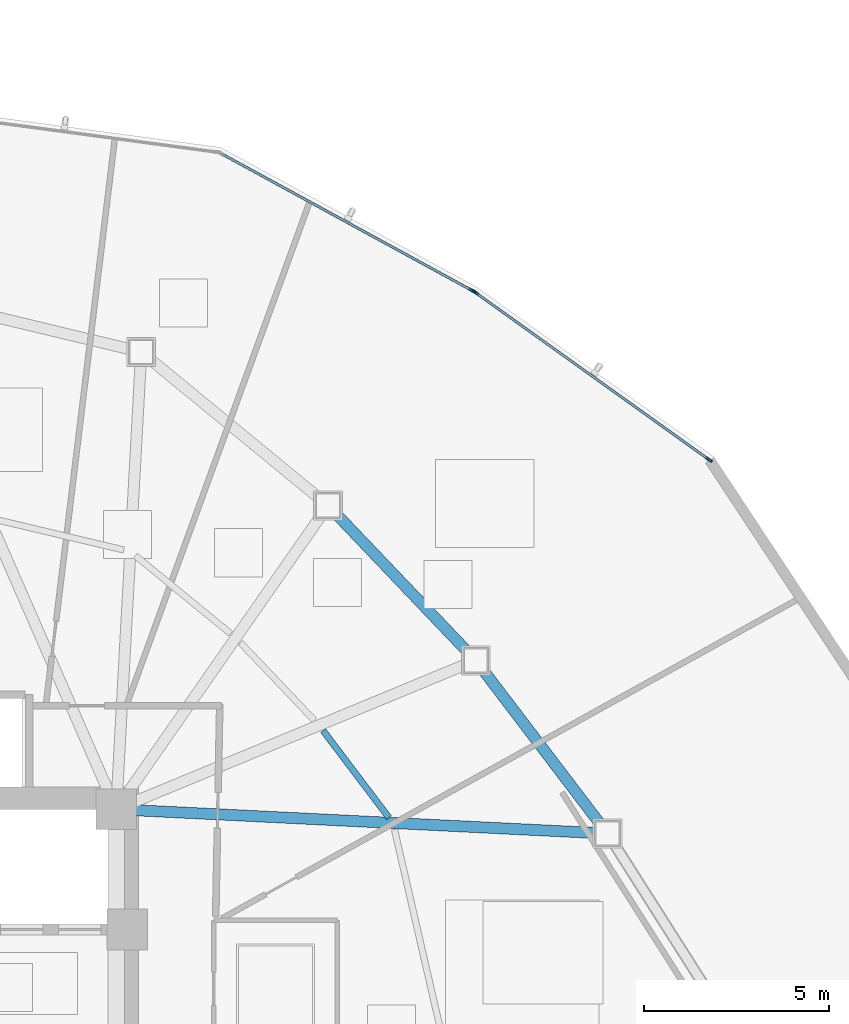
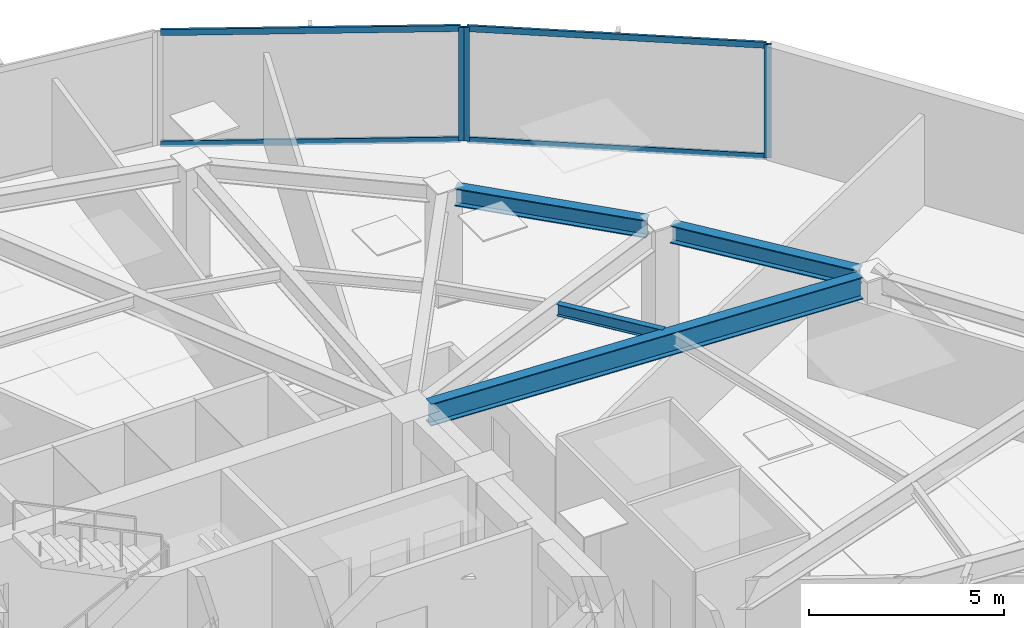
# One storey, part 9 of 17: 7 members, 4 beams, 2 elements without a shape of their own.
"""IFC4 building model written with IfcOpenShell, lengths in metres."""

from ifc_helpers import new_model, si_unit, direction, frame, origin, origin_2d, place, context, subcontext, project, spatial, hollow_rectangle, i_section, extrude, source, transform, mapped, material, layer, layer_set, material_profile, profile_set, type_object, type_shapes, element, aggregate, save


model = new_model("IFC4")

# Units and contexts
model_context = context("Model", 3, precision=1e-05, world=origin(), true_north=direction((0.0, 1.0)))
body_context = subcontext(model_context, "Body", "Model", "MODEL_VIEW")
ifc_project = project(units=[si_unit("LENGTHUNIT", "METRE"), si_unit("AREAUNIT", "SQUARE_METRE"), si_unit("VOLUMEUNIT", "CUBIC_METRE"), si_unit("PLANEANGLEUNIT", "RADIAN"), si_unit("MASSUNIT", "GRAM", prefix="KILO")], contexts=[model_context])

# Site, building, storey
site_placement = place(None, origin())
site = spatial("IfcSite", under=ifc_project, at=site_placement, CompositionType="ELEMENT")
building_placement = place(site_placement, origin())
building = spatial("IfcBuilding", under=site, at=building_placement, Name="Tavelor Broadcast Tower", CompositionType="ELEMENT")
storey_placement = place(building_placement, frame((0.0, 0.0, 150.25)))
storey = spatial("IfcBuildingStorey", under=building, at=storey_placement, Name="L35", CompositionType="ELEMENT", Elevation=150.25)

# Beams
ifc_material_1 = material(Name="Steel S355", Category="steel")
ifc_material_profile_1 = material_profile(ifc_material_1, i_section(OverallWidth=0.169921875, OverallDepth=0.360107421875, WebThickness=0.008056640625, FlangeThickness=0.0126953125, at=origin_2d()), Name="IPE 360")
ifc_profile_set_1 = profile_set([ifc_material_profile_1], Name="Steel S355")
beam_type_1 = type_object("IfcBeamType", Name="Composite Floor Joist T3 IPE 360", PredefinedType="JOIST", material=ifc_profile_set_1)
beam_1_placement = place(storey_placement, frame((63.97509765625, 50.974853515625, 3.3701171875), z_axis=(-0.603343158319, 0.797481682116, 0.0), x_axis=(-0.797481682116, -0.603343158319, 0.0)))
element("IfcBeam", 1, at=beam_1_placement, inside=storey, type_object=beam_type_1, Name="L35 Secondary Composite Floor Joist 14", PredefinedType="JOIST", context=body_context, shape_type="SweptSolid", body=[
    extrude(i_section(OverallWidth=0.169921875, OverallDepth=0.360107421875, WebThickness=0.008056640625, FlangeThickness=0.0126953125, at=origin_2d()), origin(), (0.0, 0.0, 1.0), 2.951416015625),
])
ifc_material_profile_2 = material_profile(ifc_material_1, i_section(OverallWidth=0.300048828125, OverallDepth=0.550048828125, WebThickness=0.014892578125, FlangeThickness=0.029052734375, at=origin_2d()), Name="HEB 550")
ifc_profile_set_2 = profile_set([ifc_material_profile_2], Name="Steel S355")
beam_type_2 = type_object("IfcBeamType", Name="Perimeter Spandrel Beam T3 HEB 550", PredefinedType="SPANDREL", material=ifc_profile_set_2)
beam_2_placement = place(storey_placement, frame((69.6826171875, 50.8115234375, 3.27490234375), z_axis=(-0.605507005058, 0.795839975639, 0.0), x_axis=(-0.795839975639, -0.605507005058, 0.0)))
element("IfcBeam", 2, at=beam_2_placement, inside=storey, type_object=beam_type_2, Name="L35 Framed-Tube Ring Spandrel 14", PredefinedType="SPANDREL", context=body_context, shape_type="SweptSolid", body=[
    extrude(i_section(OverallWidth=0.300048828125, OverallDepth=0.550048828125, WebThickness=0.014892578125, FlangeThickness=0.029052734375, at=origin_2d()), origin(), (0.0, 0.0, 1.0), 5.214111328125),
])
beam_3_placement = place(storey_placement, frame((66.090087890625, 55.471923828125, 3.27490234375), z_axis=(-0.689928162502, 0.723877842309, 0.0), x_axis=(-0.723877842309, -0.689928162502, 0.0)))
element("IfcBeam", 3, at=beam_3_placement, inside=storey, type_object=beam_type_2, Name="L35 Framed-Tube Ring Spandrel 15", PredefinedType="SPANDREL", context=body_context, shape_type="SweptSolid", body=[
    extrude(i_section(OverallWidth=0.300048828125, OverallDepth=0.550048828125, WebThickness=0.014892578125, FlangeThickness=0.029052734375, at=origin_2d()), origin(), (0.0, 0.0, 1.0), 5.113037109375),
])
ifc_material_profile_3 = material_profile(ifc_material_1, i_section(OverallWidth=0.300048828125, OverallDepth=0.68994140625, WebThickness=0.014404296875, FlangeThickness=0.027099609375, at=origin_2d()), Name="HEA 700")
ifc_profile_set_3 = profile_set([ifc_material_profile_3], Name="Steel S355")
beam_type_3 = type_object("IfcBeamType", Name="Radial Floor Girder T3 HEA 700", PredefinedType="BEAM", material=ifc_profile_set_3)
beam_4_placement = place(storey_placement, frame((57.12744140625, 51.174072265625, 3.205078125), z_axis=(0.998783710906, -0.04930617435, 0.0), x_axis=(0.04930617435, 0.998783710906, 0.0)))
element("IfcBeam", 4, at=beam_4_placement, inside=storey, type_object=beam_type_3, Name="L35 Radial Primary Floor Girder 14", PredefinedType="BEAM", context=body_context, shape_type="SweptSolid", body=[
    extrude(i_section(OverallWidth=0.300048828125, OverallDepth=0.68994140625, WebThickness=0.014404296875, FlangeThickness=0.027099609375, at=origin_2d()), origin(), (0.0, 0.0, 1.0), 12.438232421875),
])

# Curtain wall, members
ifc_material_2 = material(Name="Architectural Anodized Aluminium", Category="aluminium")
ifc_layer = layer(ifc_material_2, 0.18994140625)
ifc_layer_set = layer_set([ifc_layer], Name="Architectural Anodized Aluminium")
curtain_wall_type = type_object("IfcCurtainWallType", Name="Tower Mid-Zone Acoustic Curtain Wall CW03", PredefinedType="NOTDEFINED", material=ifc_layer_set)
curtain_wall_1_placement = place(storey_placement, origin())
curtain_wall_1 = element("IfcCurtainWall", 5, at=curtain_wall_1_placement, inside=storey, type_object=curtain_wall_type, Name="L35 Curtain Wall CW03 Run 369", PredefinedType="NOTDEFINED")
ifc_material_profile_4 = material_profile(ifc_material_2, hollow_rectangle(XDim=0.068115234375, YDim=0.18994140625, WallThickness=0.02197265625, at=origin_2d()), Name="RHS 68x190x22")
ifc_profile_set_4 = profile_set([ifc_material_profile_4], Name="Architectural Anodized Aluminium")
member_type_1 = type_object("IfcMemberType", Name="CW03 Extruded Aluminium Mullion 68x190", PredefinedType="MULLION", material=ifc_profile_set_4)
shared_shape_1 = source(origin(), body_context, "Body", "SweptSolid", [
    extrude(hollow_rectangle(XDim=0.068115234375, YDim=0.18994140625, WallThickness=0.02197265625, at=origin_2d()), origin(), (0.0, 0.0, 1.0), 3.550048828125),
])
type_shapes(member_type_1, [shared_shape_1])
member_1_placement = place(storey_placement, frame((72.63134765625, 60.6552734375, 0.0), z_axis=(0.0, 0.0, 1.0), x_axis=(-0.581782507324, -0.813344400713, 0.0)))
member_1 = element("IfcMember", 6, at=member_1_placement, type_object=member_type_1, Name="CW03 mullion 1", PredefinedType="MULLION", context=body_context, shape_type="MappedRepresentation", body=[
    mapped(shared_shape_1, transform((0.0, 0.0, 0.0), scale=1.0)),
])
member_2_placement = place(storey_placement, frame((66.313232421875, 65.174560546875, 0.0), z_axis=(0.0, 0.0, 1.0), x_axis=(-0.581782507324, -0.813344400713, 0.0)))
member_2 = element("IfcMember", 7, at=member_2_placement, type_object=member_type_1, Name="CW03 mullion 2", PredefinedType="MULLION", context=body_context, shape_type="MappedRepresentation", body=[
    mapped(shared_shape_1, transform((0.0, 0.0, 0.0), scale=1.0)),
])

# Curtain wall, member
curtain_wall_2_placement = place(storey_placement, origin())
curtain_wall_2 = element("IfcCurtainWall", 8, at=curtain_wall_2_placement, inside=storey, type_object=curtain_wall_type, Name="L35 Curtain Wall CW03 Run 370", PredefinedType="NOTDEFINED")
member_3_placement = place(storey_placement, frame((66.23046875, 65.2265625, 0.0), z_axis=(0.0, 0.0, 1.0), x_axis=(-0.479074286186, -0.877774360707, 0.0)))
member_3 = element("IfcMember", 9, at=member_3_placement, type_object=member_type_1, Name="CW03 mullion 1", PredefinedType="MULLION", context=body_context, shape_type="MappedRepresentation", body=[
    mapped(shared_shape_1, transform((0.0, 0.0, 0.0), scale=1.0)),
])

# Member
ifc_material_profile_5 = material_profile(ifc_material_2, hollow_rectangle(XDim=0.068115234375, YDim=0.18994140625, WallThickness=0.02197265625, at=origin_2d()), Name="RHS 68x190x22")
ifc_profile_set_5 = profile_set([ifc_material_profile_5], Name="Architectural Anodized Aluminium")
member_type_2 = type_object("IfcMemberType", Name="CW03 Extruded Aluminium Transom 68x190", PredefinedType="USERDEFINED", material=ifc_profile_set_5)
shared_shape_2 = source(origin(), body_context, "Body", "SweptSolid", [
    extrude(hollow_rectangle(XDim=0.068115234375, YDim=0.18994140625, WallThickness=0.02197265625, at=origin_2d()), origin(), (0.0, 0.0, 1.0), 7.699951171875),
])
member_4_placement = place(storey_placement, frame((72.603515625, 60.675048828125, 0.033935546875), z_axis=(-0.813341236571, 0.581786930837, 0.0), x_axis=(-0.581786930837, -0.813341236571, 0.0)))
member_4 = element("IfcMember", 10, at=member_4_placement, type_object=member_type_2, Name="CW03 transom 1.1", ObjectType="TRANSOM", PredefinedType="USERDEFINED", context=body_context, shape_type="MappedRepresentation", body=[
    mapped(shared_shape_2, transform((0.0, 0.0, 0.0), scale=1.0)),
])

member_5_placement = place(storey_placement, frame((72.603515625, 60.675048828125, 3.51611328125), z_axis=(-0.813341236571, 0.581786930837, 0.0), x_axis=(-0.581786930837, -0.813341236571, 0.0)))
member_5 = element("IfcMember", 11, at=member_5_placement, type_object=member_type_2, Name="CW03 transom 1.2", ObjectType="TRANSOM", PredefinedType="USERDEFINED", context=body_context, shape_type="MappedRepresentation", body=[
    mapped(shared_shape_2, transform((0.0, 0.0, 0.0), scale=1.0)),
])

aggregate(curtain_wall_1, [member_1, member_2, member_4, member_5])

shared_shape_3 = source(origin(), body_context, "Body", "SweptSolid", [
    extrude(hollow_rectangle(XDim=0.068115234375, YDim=0.18994140625, WallThickness=0.02197265625, at=origin_2d()), origin(), (0.0, 0.0, 1.0), 7.684814453125),
])
type_shapes(member_type_2, [shared_shape_2, shared_shape_3])
member_6_placement = place(storey_placement, frame((66.200439453125, 65.24267578125, 0.033935546875), z_axis=(-0.877774134967, 0.479074699794, 0.0), x_axis=(-0.479074699794, -0.877774134967, 0.0)))
member_6 = element("IfcMember", 12, at=member_6_placement, type_object=member_type_2, Name="CW03 transom 1.1", ObjectType="TRANSOM", PredefinedType="USERDEFINED", context=body_context, shape_type="MappedRepresentation", body=[
    mapped(shared_shape_3, transform((0.0, 0.0, 0.0), scale=1.0)),
])

member_7_placement = place(storey_placement, frame((66.200439453125, 65.24267578125, 3.51611328125), z_axis=(-0.877774134967, 0.479074699794, 0.0), x_axis=(-0.479074699794, -0.877774134967, 0.0)))
member_7 = element("IfcMember", 13, at=member_7_placement, type_object=member_type_2, Name="CW03 transom 1.2", ObjectType="TRANSOM", PredefinedType="USERDEFINED", context=body_context, shape_type="MappedRepresentation", body=[
    mapped(shared_shape_3, transform((0.0, 0.0, 0.0), scale=1.0)),
])

aggregate(curtain_wall_2, [member_3, member_6, member_7])

save(model, "model.ifc")
